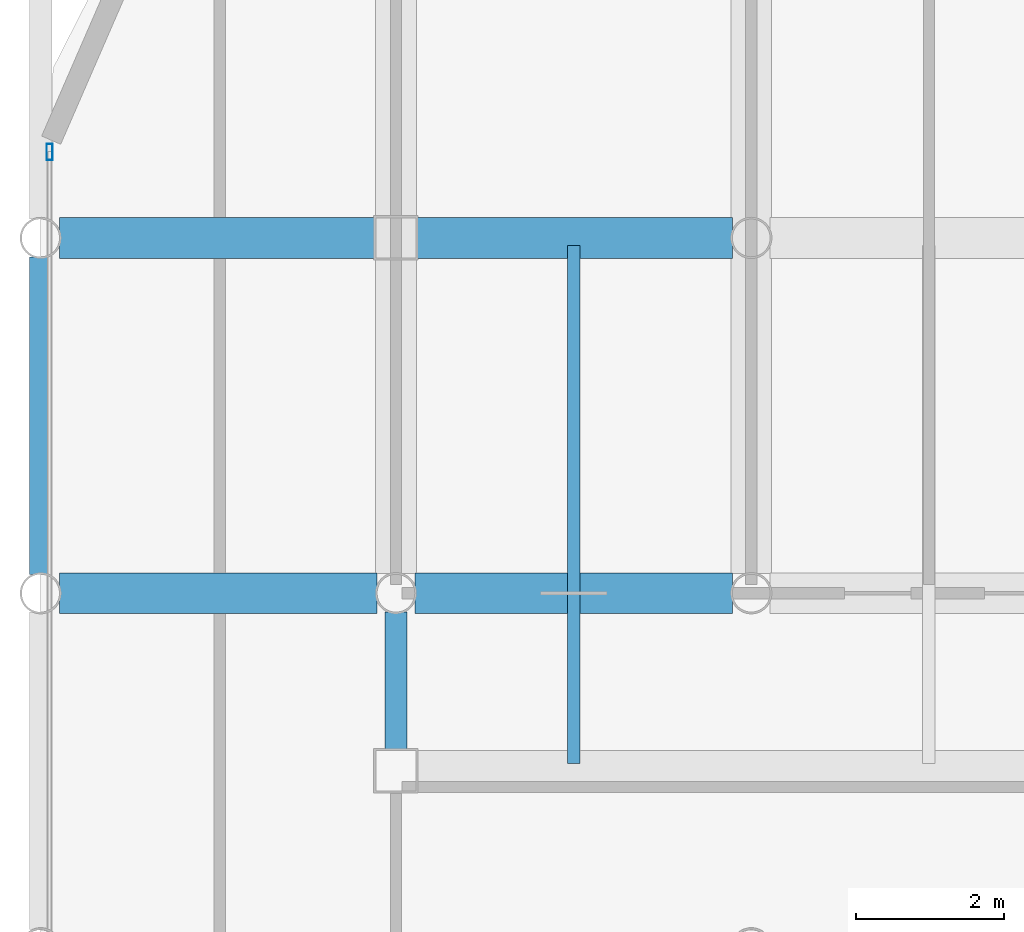
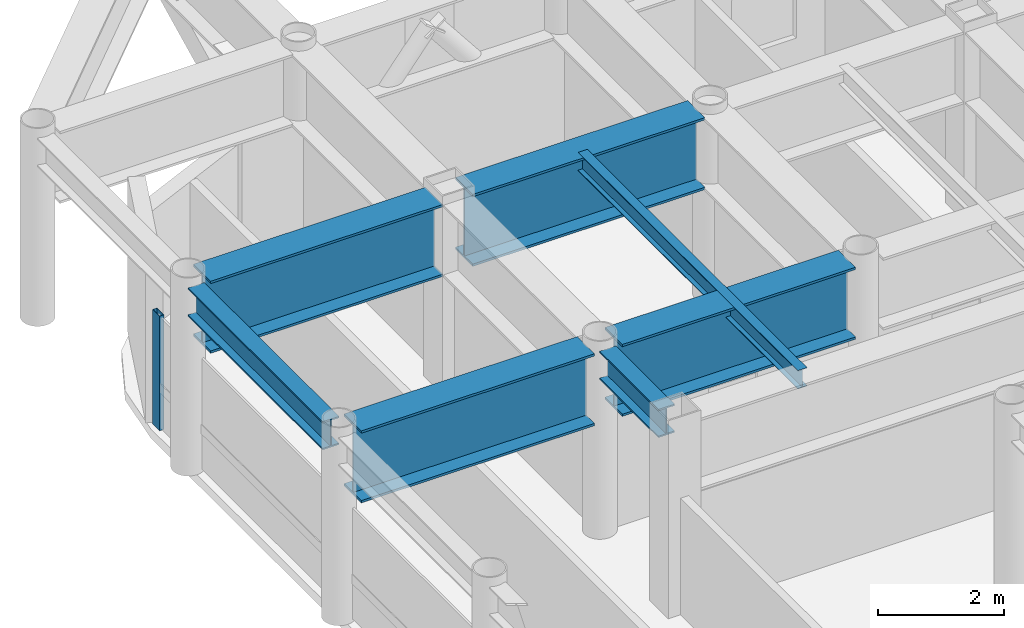
# One storey, part 12 of 24: 7 beams, 1 member, 1 element without a shape of its own.
"""IFC4 building model written with IfcOpenShell, lengths in metres."""

from ifc_helpers import new_model, si_unit, direction, frame, origin, origin_2d, place, context, subcontext, project, spatial, hollow_rectangle, i_section, extrude, material, layer, layer_set, material_profile, profile_set, type_object, element, aggregate, save


model = new_model("IFC4")

# Units and contexts
model_context = context("Model", 3, precision=1e-05, world=origin(), true_north=direction((0.0, 1.0)))
body_context = subcontext(model_context, "Body", "Model", "MODEL_VIEW")
ifc_project = project(units=[si_unit("LENGTHUNIT", "METRE"), si_unit("AREAUNIT", "SQUARE_METRE"), si_unit("VOLUMEUNIT", "CUBIC_METRE"), si_unit("PLANEANGLEUNIT", "RADIAN"), si_unit("MASSUNIT", "GRAM", prefix="KILO")], contexts=[model_context])

# Site, building, storey
site_placement = place(None, origin())
site = spatial("IfcSite", under=ifc_project, at=site_placement, CompositionType="ELEMENT")
building_placement = place(site_placement, origin())
building = spatial("IfcBuilding", under=site, at=building_placement, Name="Kallvorn Hotel Tower", CompositionType="ELEMENT")
storey_placement = place(building_placement, frame((0.0, 0.0, 218.449951171875)))
storey = spatial("IfcBuildingStorey", under=building, at=storey_placement, Name="L54", CompositionType="ELEMENT", Elevation=218.449951171875)

# Beams
ifc_material_1 = material(Name="Structural steel S355JR", Category="steel")
ifc_material_profile_1 = material_profile(ifc_material_1, i_section(OverallWidth=0.300048828125, OverallDepth=0.550048828125, WebThickness=0.014892578125, FlangeThickness=0.029052734375, at=origin_2d()), Name="HE 550 B")
ifc_profile_set_1 = profile_set([ifc_material_profile_1], Name="Structural steel S355JR")
beam_type_1 = type_object("IfcBeamType", Name="BM_HE550B", PredefinedType="SPANDREL", material=ifc_profile_set_1)
beam_1_placement = place(storey_placement, frame((-28.800048828125, 9.8544921875, 3.39501953125), z_axis=(0.0, 1.0, 0.0), x_axis=(-1.0, 0.0, 0.0)))
element("IfcBeam", 1, at=beam_1_placement, inside=storey, type_object=beam_type_1, Name="L55 Primary Y-Girder 92", PredefinedType="SPANDREL", context=body_context, shape_type="SweptSolid", body=[
    extrude(i_section(OverallWidth=0.300048828125, OverallDepth=0.550048828125, WebThickness=0.014892578125, FlangeThickness=0.029052734375, at=origin_2d()), origin(), (0.0, 0.0, 1.0), 4.291015625),
])
beam_2_placement = place(storey_placement, frame((-24.0, 7.47509765625, 3.39501953125), z_axis=(0.0, 1.0, 0.0), x_axis=(-1.0, 0.0, 0.0)))
element("IfcBeam", 2, at=beam_2_placement, inside=storey, type_object=beam_type_1, Name="L55 Primary Y-Girder 98", PredefinedType="SPANDREL", context=body_context, shape_type="SweptSolid", body=[
    extrude(i_section(OverallWidth=0.300048828125, OverallDepth=0.550048828125, WebThickness=0.014892578125, FlangeThickness=0.029052734375, at=origin_2d()), origin(), (0.0, 0.0, 1.0), 1.870361328125),
])
ifc_material_2 = material(Name="Structural steel S355JR", Category="steel")
ifc_material_profile_2 = material_profile(ifc_material_2, i_section(OverallWidth=0.169921875, OverallDepth=0.360107421875, WebThickness=0.008056640625, FlangeThickness=0.0126953125, at=origin_2d()), Name="IPE 360")
ifc_profile_set_2 = profile_set([ifc_material_profile_2], Name="Structural steel S355JR")
beam_type_2 = type_object("IfcBeamType", Name="BM_IPE360", PredefinedType="JOIST", material=ifc_profile_set_2)
beam_3_placement = place(storey_placement, frame((-21.60009765625, 7.300048828125, 3.489990234375), z_axis=(0.0, 1.0, 0.0), x_axis=(-1.0, 0.0, 0.0)))
element("IfcBeam", 3, at=beam_3_placement, inside=storey, type_object=beam_type_2, Name="L55 Secondary Composite Joist 206", PredefinedType="JOIST", context=body_context, shape_type="SweptSolid", body=[
    extrude(i_section(OverallWidth=0.169921875, OverallDepth=0.360107421875, WebThickness=0.008056640625, FlangeThickness=0.0126953125, at=origin_2d()), origin(), (0.0, 0.0, 1.0), 7.0),
])
ifc_material_3 = material(Name="Structural steel S355JR", Category="steel")
ifc_material_profile_3 = material_profile(ifc_material_3, i_section(OverallWidth=0.550048828125, OverallDepth=1.39990234375, WebThickness=0.02490234375, FlangeThickness=0.044921875, at=origin_2d()), Name="PG 1400x550x25x45")
ifc_profile_set_3 = profile_set([ifc_material_profile_3], Name="Structural steel S355JR")
beam_type_3 = type_object("IfcBeamType", Name="BM_PG_1400", PredefinedType="BEAM", material=ifc_profile_set_3)
for number, where, z_axis, x_axis, name in (
    (4, (-28.54541015625, 9.60009765625, 2.969970703125), (1.0, 0.0, 0.0), (0.0, 1.0, 0.0), "L55 Primary X-Girder 55"),
    (5, (-23.74560546875, 9.60009765625, 2.969970703125), (1.0, 0.0, 0.0), (0.0, 1.0, 0.0), "L55 Primary X-Girder 56"),
):
    element("IfcBeam", number, at=place(storey_placement, frame(where, z_axis=z_axis, x_axis=x_axis)), inside=storey, type_object=beam_type_3, Name=name, PredefinedType="BEAM", context=body_context, shape_type="SweptSolid", body=[
        extrude(i_section(OverallWidth=0.550048828125, OverallDepth=1.39990234375, WebThickness=0.02490234375, FlangeThickness=0.044921875, at=origin_2d()), origin(), (0.0, 0.0, 1.0), 4.291015625),
    ])
for number, where, z_axis, x_axis, name in (
    (6, (-28.54541015625, 14.39990234375, 2.969970703125), (1.0, 0.0, 0.0), (0.0, 1.0, 0.0), "L55 Primary X-Girder 64"),
    (7, (-23.72509765625, 14.39990234375, 2.969970703125), (1.0, 0.0, 0.0), (0.0, 1.0, 0.0), "L55 Primary X-Girder 65"),
):
    element("IfcBeam", number, at=place(storey_placement, frame(where, z_axis=z_axis, x_axis=x_axis)), inside=storey, type_object=beam_type_3, Name=name, PredefinedType="BEAM", context=body_context, shape_type="SweptSolid", body=[
        extrude(i_section(OverallWidth=0.550048828125, OverallDepth=1.39990234375, WebThickness=0.02490234375, FlangeThickness=0.044921875, at=origin_2d()), origin(), (0.0, 0.0, 1.0), 4.2705078125),
    ])

# Curtain wall, member
ifc_material_4 = material(Name="Thermally broken black-anodised aluminium AA 6063-T6", Category="aluminium")
ifc_layer = layer(ifc_material_4, 0.22998046875)
ifc_layer_set = layer_set([ifc_layer], Name="CW_SYS_5_HOTEL_HIGH")
curtain_wall_type = type_object("IfcCurtainWallType", Name="CW_SYS_5_HOTEL_HIGH", PredefinedType="USERDEFINED", material=ifc_layer_set)
curtain_wall_placement = place(storey_placement, origin())
curtain_wall = element("IfcCurtainWall", 8, at=curtain_wall_placement, inside=storey, type_object=curtain_wall_type, Name="L54 Dark-Glass Curtain Wall CW-L54-WN", ObjectType="UNITISED CURTAIN WALL", PredefinedType="USERDEFINED")
ifc_material_5 = material(Name="Thermally broken black-anodised aluminium AA 6063-T6", Category="aluminium")
ifc_material_profile_4 = material_profile(ifc_material_5, hollow_rectangle(XDim=0.080078125, YDim=0.219970703125, WallThickness=0.0048828125, at=origin_2d()), Name="MUL 220x80")
ifc_profile_set_4 = profile_set([ifc_material_profile_4], Name="Thermally broken black-anodised aluminium AA 6063-T6")
member_type = type_object("IfcMemberType", Name="CW_MULLION_220x80", PredefinedType="MULLION", material=ifc_profile_set_4)
member_placement = place(storey_placement, frame((-28.679931640625, 15.56005859375, 0.02001953125), z_axis=(0.0, 0.0, 1.0), x_axis=(1.0, 0.0, 0.0)))
member = element("IfcMember", 9, at=member_placement, type_object=member_type, Name="CW-L54-WN Mullion 01", PredefinedType="MULLION", context=body_context, shape_type="SweptSolid", body=[
    extrude(hollow_rectangle(XDim=0.080078125, YDim=0.219970703125, WallThickness=0.0048828125, at=origin_2d()), origin(), (0.0, 0.0, 1.0), 2.22998046875),
])
aggregate(curtain_wall, [member])

save(model, "model.ifc")
